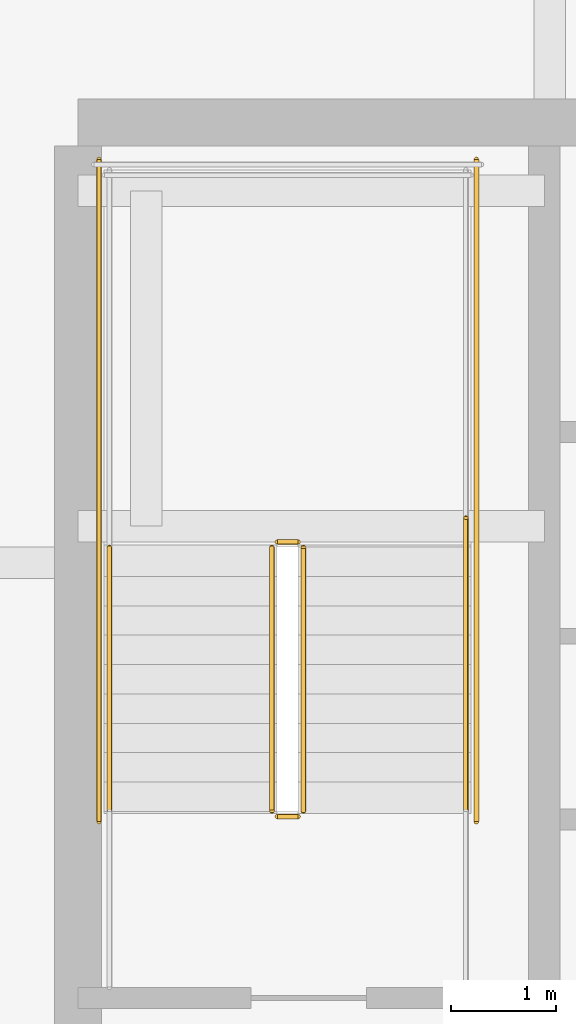
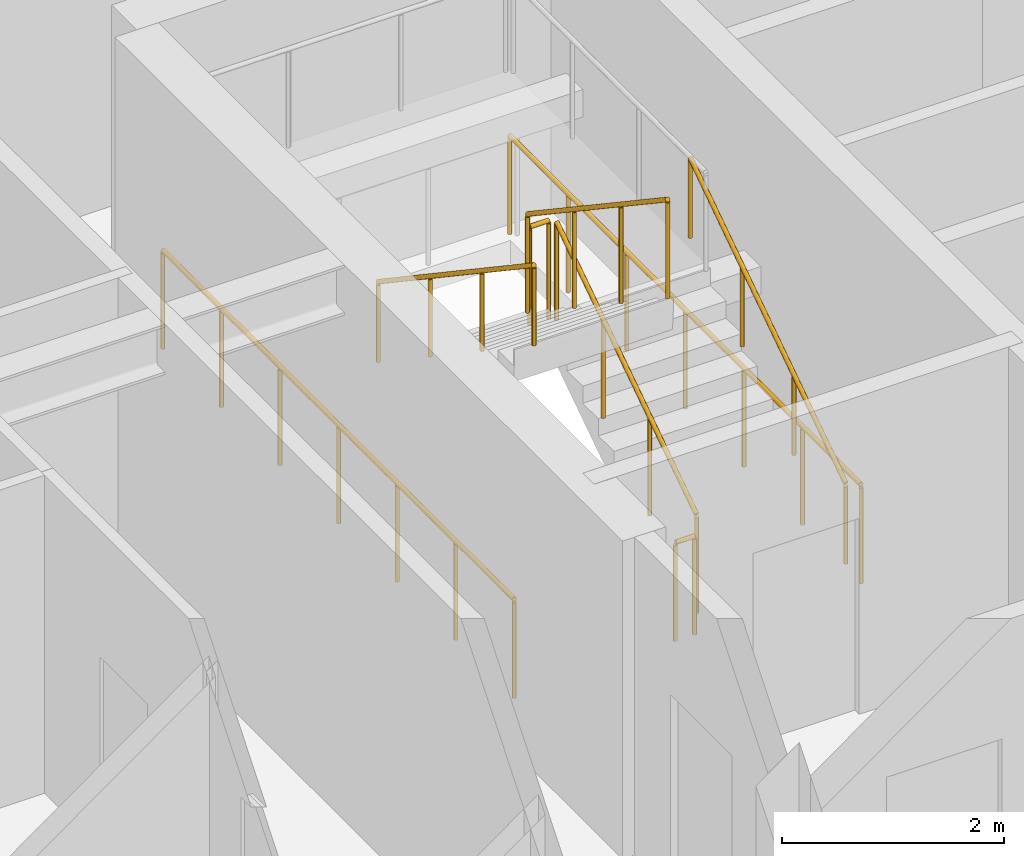
# One storey, part 31 of 35: 8 railings.
"""IFC4 building model written with IfcOpenShell, lengths in metres."""

import ifcopenshell
import ifcopenshell.guid

model = None  # the IFC model being written
_history = None  # IfcOwnerHistory: only IFC2X3 demands one
_inside = {}  # id of a spatial element -> (the spatial element, [elements in it])
_under = {}  # id of a project, library or spatial element -> (it, [spatial elements below it])
_declared = {}  # id of a project -> (the project, [libraries it declares])
_typed = {}  # id of a type object -> (the type object, [elements of that type])
_made_of = {}  # id of a material, layer set ... -> (it, [elements and type objects made of it])


def new_model(schema):
    """Start an empty IFC model of exactly this schema.

    Asked for "IFC4X3", IfcOpenShell would pick the latest addendum, in which some entities
    have other attributes; the version numbers below select the first issue.
    IFC2X3 requires an IfcOwnerHistory on every rooted entity: one is made here for all.
    """
    global model, _history
    if schema == "IFC4X3":
        model = ifcopenshell.file(schema_version=(4, 3, 0, 0))
    else:
        model = ifcopenshell.file(schema=schema)
    _inside.clear()
    _under.clear()
    _declared.clear()
    _typed.clear()
    _made_of.clear()
    _history = None
    if model.schema == "IFC2X3":
        org = make("IfcOrganization", Name="unknown")
        user = make(
            "IfcPersonAndOrganization",
            ThePerson=make("IfcPerson", FamilyName="unknown"),
            TheOrganization=org,
        )
        app = make(
            "IfcApplication",
            ApplicationDeveloper=org,
            Version="unknown",
            ApplicationFullName="unknown",
            ApplicationIdentifier="unknown",
        )
        _history = make(
            "IfcOwnerHistory",
            OwningUser=user,
            OwningApplication=app,
            ChangeAction="ADDED",
            CreationDate=0,
        )
    return model


def make(cls, **values):
    """One entity of the class cls with the attributes given. An attribute that is None is left unset."""
    return model.create_entity(
        cls, **{name: value for name, value in values.items() if value is not None}
    )


def rooted(cls, **values):
    """An entity with a GlobalId (a new one), such as an element, a storey or a relation."""
    return make(cls, GlobalId=ifcopenshell.guid.new(), OwnerHistory=_history, **values)


def si_unit(unit_type, name, prefix=None):
    """IfcSIUnit, for example si_unit("LENGTHUNIT", "METRE", prefix="MILLI")."""
    return make("IfcSIUnit", UnitType=unit_type, Prefix=prefix, Name=name)


def assignment(units):
    """IfcUnitAssignment: the units of a project."""
    return None if units is None else make("IfcUnitAssignment", Units=units)


def point(xyz):
    """IfcCartesianPoint."""
    return None if xyz is None else make("IfcCartesianPoint", Coordinates=xyz)


def direction(xyz):
    """IfcDirection."""
    return None if xyz is None else make("IfcDirection", DirectionRatios=xyz)


def frame(location, z_axis=None, x_axis=None):
    """IfcAxis2Placement3D, a coordinate frame: its origin and axes. An axis left out is left unset."""
    return make(
        "IfcAxis2Placement3D",
        Location=point(location),
        Axis=direction(z_axis),
        RefDirection=direction(x_axis),
    )


def frame_2d(location, x_axis=None):
    """IfcAxis2Placement2D, a coordinate frame in the plane: its origin and x axis."""
    return make(
        "IfcAxis2Placement2D", Location=point(location), RefDirection=direction(x_axis)
    )


def origin():
    """The frame at (0, 0, 0) with its axes left unset."""
    return frame((0.0, 0.0, 0.0))


def origin_2d():
    """The frame at (0, 0) in the plane with its x axis left unset."""
    return frame_2d((0.0, 0.0))


def place(relative_to, where):
    """IfcLocalPlacement: puts the frame where relative to a parent placement (None: the world)."""
    return make(
        "IfcLocalPlacement", PlacementRelTo=relative_to, RelativePlacement=where
    )


def context(
    kind, dimensions, precision=None, world=None, true_north=None, identifier=None
):
    """IfcGeometricRepresentationContext, for example the 3D "Model" context."""
    return make(
        "IfcGeometricRepresentationContext",
        ContextIdentifier=identifier,
        ContextType=kind,
        CoordinateSpaceDimension=dimensions,
        Precision=precision,
        WorldCoordinateSystem=world,
        TrueNorth=true_north,
    )


def subcontext(parent, identifier, kind, view, scale=None):
    """IfcGeometricRepresentationSubContext, for example "Body" below "Model"."""
    return make(
        "IfcGeometricRepresentationSubContext",
        ContextIdentifier=identifier,
        ContextType=kind,
        ParentContext=parent,
        TargetScale=scale,
        TargetView=view,
    )


def project(units=None, contexts=None):
    """IfcProject with its units and contexts."""
    return rooted(
        "IfcProject",
        Name="project",
        RepresentationContexts=contexts,
        UnitsInContext=assignment(units),
    )


def spatial(cls, under=None, at=None, **own):
    """A site, building, storey or space (cls), placed at a placement, below another one or the project."""
    s = rooted(cls, ObjectPlacement=at, **own)
    if under is not None:
        _under.setdefault(under.id(), (under, []))[1].append(s)
    return s


def profile(cls, at=None, kind="AREA", **sizes):
    """A parametric profile (cls). Its sizes go by their IFC names, for example OverallWidth=200.0."""
    return make(cls, ProfileType=kind, Position=at, **sizes)


def circle(**sizes):
    """IfcCircleProfileDef."""
    return profile("IfcCircleProfileDef", **sizes)


def extrude(swept, where, along, depth):
    """IfcExtrudedAreaSolid: the profile swept, set in the frame where, extruded along a direction by depth."""
    return make(
        "IfcExtrudedAreaSolid",
        SweptArea=swept,
        Position=where,
        ExtrudedDirection=direction(along),
        Depth=depth,
    )


def shape(context_of_items, identifier, shape_type, items):
    """IfcShapeRepresentation: the items that make up one representation, for example the "Body"."""
    return make(
        "IfcShapeRepresentation",
        ContextOfItems=context_of_items,
        RepresentationIdentifier=identifier,
        RepresentationType=shape_type,
        Items=items,
    )


def material(Name=None, Category=None):
    """IfcMaterial."""
    return make("IfcMaterial", Name=Name, Category=Category)


def made_of(thing, what):
    """Note that an element or type object is made of a material, layer set ...; save() writes the relation."""
    if what is not None:
        _made_of.setdefault(what.id(), (what, []))[1].append(thing)
    return thing


def type_object(cls, material=None, **own):
    """A type object (cls), such as IfcWallType, which elements share."""
    return made_of(rooted(cls, **own), material)


def element(
    cls,
    number,
    at=None,
    inside=None,
    cuts=None,
    type_object=None,
    material=None,
    context=None,
    identifier="Body",
    shape_type=None,
    held_by="IfcProductDefinitionShape",
    body=None,
    shapes=None,
    **own,
):
    """One element of the class cls, such as IfcWall. Its Tag is "e" and its number.

    at: its placement. inside: the storey or other place that contains it. cuts: it is an
    opening in that element (IfcRelVoidsElement). A single representation is given by context,
    identifier, shape_type and body (its items); several are given by shapes. held_by: the class
    of the entity that holds the representations. save() writes the other relations.
    """
    e = rooted(cls, Tag="e%d" % number, ObjectPlacement=at, **own)
    if body is not None:
        shapes = [shape(context, identifier, shape_type, body)]
    if shapes is not None:
        e.Representation = make(held_by, Representations=shapes)
    if inside is not None:
        _inside.setdefault(inside.id(), (inside, []))[1].append(e)
    if cuts is not None:
        rooted(
            "IfcRelVoidsElement", RelatingBuildingElement=cuts, RelatedOpeningElement=e
        )
    if type_object is not None:
        _typed.setdefault(type_object.id(), (type_object, []))[1].append(e)
    return made_of(e, material)


def aggregate(whole, parts):
    """IfcRelAggregates: a whole, such as a stair, and the parts it consists of."""
    return rooted("IfcRelAggregates", RelatingObject=whole, RelatedObjects=parts)


def save(model, path):
    """Write the relations noted so far, then the file.

    IfcRelAggregates (storeys below a building ...), IfcRelContainedInSpatialStructure (elements
    in a storey), IfcRelDefinesByType, IfcRelAssociatesMaterial and IfcRelDeclares: one each for
    every whole, place, type object, material and project.
    """
    for whole, parts in _under.values():
        aggregate(whole, parts)
    for where, things in _inside.values():
        rooted(
            "IfcRelContainedInSpatialStructure",
            RelatedElements=things,
            RelatingStructure=where,
        )
    for kind, things in _typed.values():
        rooted("IfcRelDefinesByType", RelatedObjects=things, RelatingType=kind)
    for what, things in _made_of.values():
        rooted("IfcRelAssociatesMaterial", RelatedObjects=things, RelatingMaterial=what)
    for by, libraries in _declared.values():
        rooted("IfcRelDeclares", RelatingContext=by, RelatedDefinitions=libraries)
    model.write(path)


model = new_model("IFC4")

# Units and contexts
model_context = context("Model", 3, precision=1e-05, world=origin(), true_north=direction((0.0, 1.0)))
body_context = subcontext(model_context, "Body", "Model", "MODEL_VIEW")
ifc_project = project(units=[si_unit("LENGTHUNIT", "METRE"), si_unit("AREAUNIT", "SQUARE_METRE"), si_unit("VOLUMEUNIT", "CUBIC_METRE"), si_unit("PLANEANGLEUNIT", "RADIAN"), si_unit("MASSUNIT", "GRAM", prefix="KILO")], contexts=[model_context])

# Site, building, storey
site_placement = place(None, origin())
site = spatial("IfcSite", under=ifc_project, at=site_placement, CompositionType="ELEMENT")
building_placement = place(site_placement, origin())
building = spatial("IfcBuilding", under=site, at=building_placement, Name="Serunith Strait Residences", CompositionType="ELEMENT")
storey_placement = place(building_placement, frame((0.0, 0.0, 56.699951171875)))
storey = spatial("IfcBuildingStorey", under=building, at=storey_placement, Name="L13", CompositionType="ELEMENT", Elevation=56.699951171875)

# Railings
ifc_material = material(Name="Brushed stainless steel 316L", Category="steel")
railing_type_1 = type_object("IfcRailingType", Name="RLG-STAIR-GUARD", PredefinedType="BALUSTRADE", material=ifc_material)
railing_1_placement = place(storey_placement, frame((25.550048828125, 27.030029296875, 0.1875)))
element("IfcRailing", 1, at=railing_1_placement, inside=storey, type_object=railing_type_1, Name="L13 ST-1 stair guard 1", PredefinedType="BALUSTRADE", context=body_context, shape_type="SweptSolid", body=[
    extrude(circle(Radius=0.02392578125, at=origin_2d()), frame((0.0, 0.001708984375, 1.0771484375), z_axis=(0.0, 0.830909170722, 0.55640807867), x_axis=(-1.0, 0.0, 0.0)), (0.0, 0.0, 1.0), 3.02880859375),
    extrude(circle(Radius=0.02099609375, at=origin_2d()), origin(), (0.0, 0.0, 1.0), 1.050048828125),
    extrude(circle(Radius=0.02099609375, at=origin_2d()), frame((0.0, 0.840087890625, 0.5625)), (0.0, 0.0, 1.0), 1.050048828125),
    extrude(circle(Radius=0.02099609375, at=origin_2d()), frame((0.0, 1.679931640625, 1.125)), (0.0, 0.0, 1.0), 1.050048828125),
    extrude(circle(Radius=0.02099609375, at=origin_2d()), frame((0.0, 2.52001953125, 1.6875)), (0.0, 0.0, 1.0), 1.050048828125),
])
railing_2_placement = place(storey_placement, frame((25.5, 29.60009765625, 1.875)))
element("IfcRailing", 2, at=railing_2_placement, inside=storey, type_object=railing_type_1, Name="L13 ST-1 stair guard 2", PredefinedType="BALUSTRADE", context=body_context, shape_type="SweptSolid", body=[
    extrude(circle(Radius=0.02392578125, at=origin_2d()), frame((-0.001953125, 0.0, 1.076171875), z_axis=(-1.0, 0.0, 0.0), x_axis=(0.0, -1.0, 0.0)), (0.0, 0.0, 1.0), 0.196044921875),
    extrude(circle(Radius=0.02099609375, at=origin_2d()), origin(), (0.0, 0.0, 1.0), 1.050048828125),
    extrude(circle(Radius=0.02099609375, at=origin_2d()), frame((-0.199951171875, 0.0, 0.0)), (0.0, 0.0, 1.0), 1.050048828125),
])
railing_3_placement = place(storey_placement, frame((25.25, 29.550048828125, 2.0625)))
element("IfcRailing", 3, at=railing_3_placement, inside=storey, type_object=railing_type_1, Name="L13 ST-1 stair guard 6", PredefinedType="BALUSTRADE", context=body_context, shape_type="SweptSolid", body=[
    extrude(circle(Radius=0.02392578125, at=origin_2d()), frame((0.0, -0.001708984375, 1.0771484375), z_axis=(0.0, -0.830909170722, 0.55640807867), x_axis=(1.0, 0.0, 0.0)), (0.0, 0.0, 1.0), 3.02880859375),
    extrude(circle(Radius=0.02099609375, at=origin_2d()), origin(), (0.0, 0.0, 1.0), 1.050048828125),
    extrude(circle(Radius=0.02099609375, at=origin_2d()), frame((0.0, -0.840087890625, 0.5625)), (0.0, 0.0, 1.0), 1.050048828125),
    extrude(circle(Radius=0.02099609375, at=origin_2d()), frame((0.0, -1.679931640625, 1.125)), (0.0, 0.0, 1.0), 1.050048828125),
    extrude(circle(Radius=0.02099609375, at=origin_2d()), frame((0.0, -2.52001953125, 1.6875)), (0.0, 0.0, 1.0), 1.050048828125),
])
railing_4_placement = place(storey_placement, frame((25.5, 26.97998046875, 0.0)))
element("IfcRailing", 4, at=railing_4_placement, inside=storey, type_object=railing_type_1, Name="L13 ST-1 stair guard 7", PredefinedType="BALUSTRADE", context=body_context, shape_type="SweptSolid", body=[
    extrude(circle(Radius=0.02392578125, at=origin_2d()), frame((-0.001953125, 0.0, 1.076171875), z_axis=(-1.0, 0.0, 0.0), x_axis=(0.0, -1.0, 0.0)), (0.0, 0.0, 1.0), 0.196044921875),
    extrude(circle(Radius=0.02099609375, at=origin_2d()), origin(), (0.0, 0.0, 1.0), 1.050048828125),
    extrude(circle(Radius=0.02099609375, at=origin_2d()), frame((-0.199951171875, 0.0, 0.0)), (0.0, 0.0, 1.0), 1.050048828125),
])
for number, where, name in (
    (5, (27.199951171875, 26.929931640625, 0.0), "L13 ST-1 stair guard 10"),
    (6, (23.60009765625, 26.929931640625, 0.0), "L13 ST-1 stair guard 11"),
):
    element("IfcRailing", number, at=place(storey_placement, frame(where)), inside=storey, type_object=railing_type_1, Name=name, PredefinedType="BALUSTRADE", context=body_context, shape_type="SweptSolid", body=[
        extrude(circle(Radius=0.02392578125, at=origin_2d()), frame((0.0, 0.001953125, 1.076171875), z_axis=(0.0, 1.0, 0.0), x_axis=(-1.0, 0.0, 0.0)), (0.0, 0.0, 1.0), 6.316162109375),
        extrude(circle(Radius=0.02099609375, at=origin_2d()), origin(), (0.0, 0.0, 1.0), 1.050048828125),
        extrude(circle(Radius=0.02099609375, at=origin_2d()), frame((0.0, 1.05322265625, 0.0)), (0.0, 0.0, 1.0), 1.050048828125),
        extrude(circle(Radius=0.02099609375, at=origin_2d()), frame((0.0, 2.106689453125, 0.0)), (0.0, 0.0, 1.0), 1.050048828125),
        extrude(circle(Radius=0.02099609375, at=origin_2d()), frame((0.0, 3.16015625, 0.0)), (0.0, 0.0, 1.0), 1.050048828125),
        extrude(circle(Radius=0.02099609375, at=origin_2d()), frame((0.0, 4.21337890625, 0.0)), (0.0, 0.0, 1.0), 1.050048828125),
        extrude(circle(Radius=0.02099609375, at=origin_2d()), frame((0.0, 5.2666015625, 0.0)), (0.0, 0.0, 1.0), 1.050048828125),
        extrude(circle(Radius=0.02099609375, at=origin_2d()), frame((0.0, 6.320068359375, 0.0)), (0.0, 0.0, 1.0), 1.050048828125),
    ])
railing_type_2 = type_object("IfcRailingType", Name="RLG-STAIR-HR", PredefinedType="HANDRAIL", material=ifc_material)
railing_5_placement = place(storey_placement, frame((27.10009765625, 27.030029296875, 0.1875)))
element("IfcRailing", 7, at=railing_5_placement, inside=storey, type_object=railing_type_2, Name="L13 ST-1 stair handrail 1", PredefinedType="HANDRAIL", context=body_context, shape_type="SweptSolid", body=[
    extrude(circle(Radius=0.02392578125, at=origin_2d()), frame((0.0, 0.001708984375, 0.876953125), z_axis=(0.0, 0.830208209119, 0.557453432594), x_axis=(-1.0, 0.0, 0.0)), (0.0, 0.0, 1.0), 3.36865234375),
    extrude(circle(Radius=0.02099609375, at=origin_2d()), origin(), (0.0, 0.0, 1.0), 0.849853515625),
    extrude(circle(Radius=0.02099609375, at=origin_2d()), frame((0.0, 0.933349609375, 0.626708984375)), (0.0, 0.0, 1.0), 0.849853515625),
    extrude(circle(Radius=0.02099609375, at=origin_2d()), frame((0.0, 1.86669921875, 1.25341796875)), (0.0, 0.0, 1.0), 0.849853515625),
    extrude(circle(Radius=0.02099609375, at=origin_2d()), frame((0.0, 2.800048828125, 1.880126953125)), (0.0, 0.0, 1.0), 0.849853515625),
])
railing_6_placement = place(storey_placement, frame((23.699951171875, 29.550048828125, 2.0625)))
element("IfcRailing", 8, at=railing_6_placement, inside=storey, type_object=railing_type_2, Name="L13 ST-1 stair handrail 2", PredefinedType="HANDRAIL", context=body_context, shape_type="SweptSolid", body=[
    extrude(circle(Radius=0.02392578125, at=origin_2d()), frame((0.0, -0.001708984375, 0.876953125), z_axis=(0.0, -0.830208209119, 0.557453432594), x_axis=(1.0, 0.0, 0.0)), (0.0, 0.0, 1.0), 3.36865234375),
    extrude(circle(Radius=0.02099609375, at=origin_2d()), origin(), (0.0, 0.0, 1.0), 0.849853515625),
    extrude(circle(Radius=0.02099609375, at=origin_2d()), frame((0.0, -0.933349609375, 0.626708984375)), (0.0, 0.0, 1.0), 0.849853515625),
    extrude(circle(Radius=0.02099609375, at=origin_2d()), frame((0.0, -1.86669921875, 1.25341796875)), (0.0, 0.0, 1.0), 0.849853515625),
    extrude(circle(Radius=0.02099609375, at=origin_2d()), frame((0.0, -2.800048828125, 1.880126953125)), (0.0, 0.0, 1.0), 0.849853515625),
])

save(model, "model.ifc")
